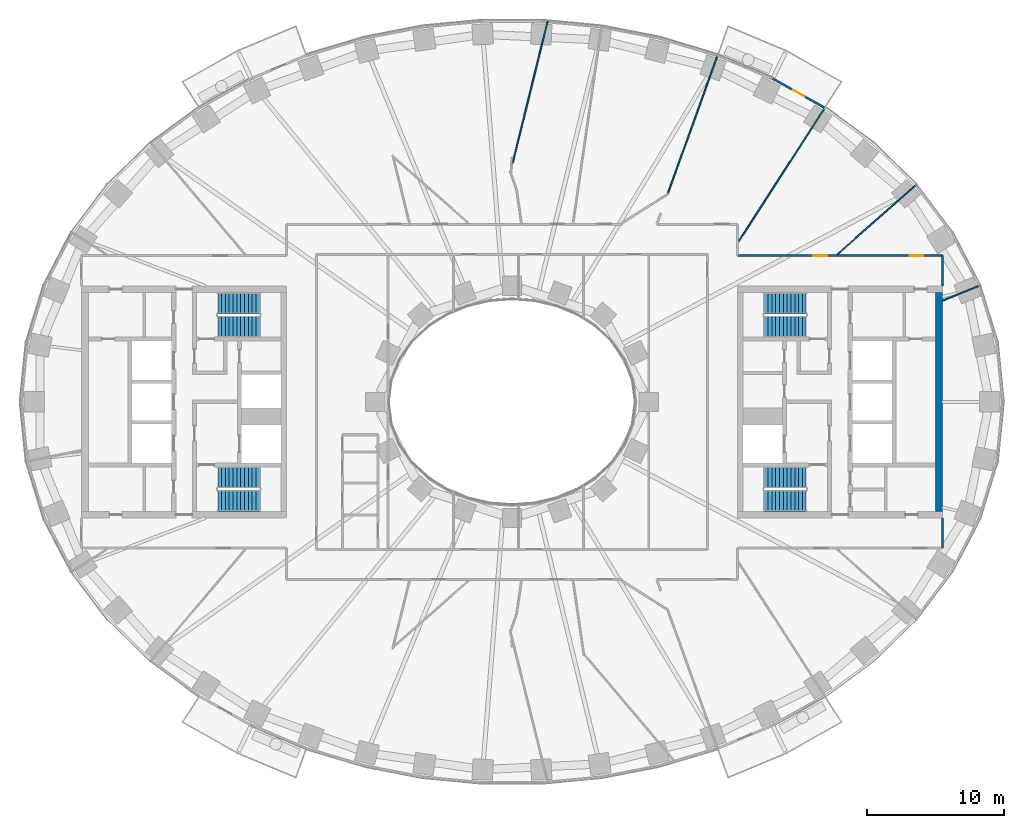
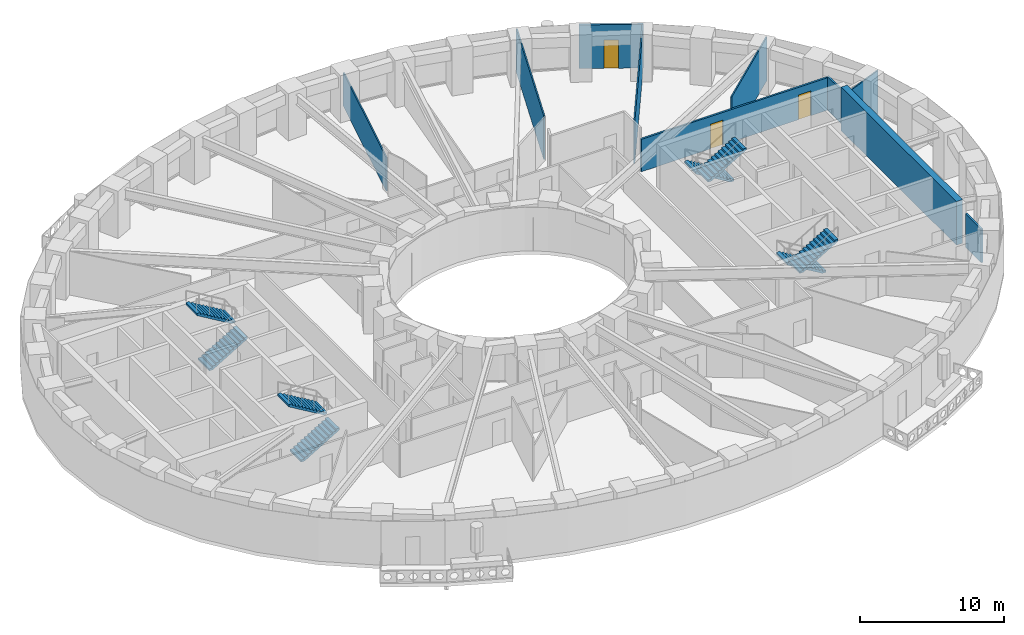
# One storey, part 7 of 15: 10 walls, 8 stair flights, 3 doors, 3 openings, 4 elements without a shape of their own.
"""IFC4 building model written with IfcOpenShell, lengths in metres."""

from ifc_helpers import new_model, si_unit, direction, frame, frame_2d, origin, place, context, subcontext, project, spatial, polyline, rectangle, outline, extrude, material, layer, layer_set, type_object, element, fill, aggregate, save


model = new_model("IFC4")

# Units and contexts
model_context = context("Model", 3, precision=1e-05, world=origin(), true_north=direction((0.0, 1.0)))
body_context = subcontext(model_context, "Body", "Model", "MODEL_VIEW")
ifc_project = project(units=[si_unit("LENGTHUNIT", "METRE"), si_unit("AREAUNIT", "SQUARE_METRE"), si_unit("VOLUMEUNIT", "CUBIC_METRE"), si_unit("PLANEANGLEUNIT", "RADIAN"), si_unit("MASSUNIT", "GRAM", prefix="KILO")], contexts=[model_context])

# Site, building, storey
site_placement = place(None, origin())
site = spatial("IfcSite", under=ifc_project, at=site_placement, CompositionType="ELEMENT")
building_placement = place(site_placement, origin())
building = spatial("IfcBuilding", under=site, at=building_placement, Name="Noorbagh Ring Tower", CompositionType="ELEMENT")
storey_placement = place(building_placement, frame((0.0, 0.0, 38.5)))
storey = spatial("IfcBuildingStorey", under=building, at=storey_placement, Name="L07", CompositionType="ELEMENT", Elevation=38.5)

# Wall
ifc_material_1 = material(Name="Concrete C70/85", Category="concrete")
ifc_layer_1 = layer(ifc_material_1, 0.5)
ifc_layer_set_1 = layer_set([ifc_layer_1], Name="Concrete C70/85")
wall_type_1 = type_object("IfcWallType", Name="CORE-WALL-500-C70-85-EI240", PredefinedType="SHEAR", material=ifc_layer_set_1)
wall_1_placement = place(storey_placement, frame((31.25, -8.0, 0.0), z_axis=(0.0, 0.0, 1.0), x_axis=(0.0, 1.0, 0.0)))
element("IfcWall", 1, at=wall_1_placement, inside=storey, type_object=wall_type_1, Name="Core wall E", PredefinedType="SHEAR", context=body_context, shape_type="SweptSolid", body=[
    extrude(rectangle(XDim=16.0, YDim=0.5, at=frame_2d((8.0, 0.0))), origin(), (0.0, 0.0, 1.0), 3.699951171875),
])

# Wall, openings, doors
ifc_material_2 = material(Name="Gypsum board on steel studs", Category="steel")
ifc_layer_2 = layer(ifc_material_2, 0.14990234375)
ifc_layer_set_2 = layer_set([ifc_layer_2], Name="Gypsum board on steel studs")
wall_type_2 = type_object("IfcWallType", Name="CORRIDOR PARTITION 150 EI 30", PredefinedType="PARTITIONING", material=ifc_layer_set_2)
wall_2_placement = place(storey_placement, frame((16.5, 10.699951171875, 0.0), z_axis=(0.0, 0.0, 1.0), x_axis=(1.0, 0.0, 0.0)))
wall_2 = element("IfcWall", 2, at=wall_2_placement, inside=storey, type_object=wall_type_2, Name="L07/wall/P70", PredefinedType="PARTITIONING", context=body_context, shape_type="SweptSolid", body=[
    extrude(rectangle(XDim=15.0, YDim=0.14990234375, at=frame_2d((7.5, 0.0))), origin(), (0.0, 0.0, 1.0), 2.75),
])
opening_1_placement = place(wall_2_placement, frame((5.552001953125, 0.0, 0.0)))
opening_1 = element("IfcOpeningElement", 3, at=opening_1_placement, cuts=wall_2, Name="Opening D1", PredefinedType="OPENING", context=body_context, shape_type="SweptSolid", body=[
    extrude(rectangle(XDim=1.0, YDim=2.10009765625, at=frame_2d((0.5, 1.050048828125))), frame((0.0, 0.0849609375, 0.0), z_axis=(0.0, -1.0, 0.0), x_axis=(1.0, 0.0, 0.0)), (0.0, 0.0, 1.0), 0.169921875),
])
opening_2_placement = place(wall_2_placement, frame((12.60009765625, 0.0, 0.0)))
opening_2 = element("IfcOpeningElement", 4, at=opening_2_placement, cuts=wall_2, Name="Opening D1", PredefinedType="OPENING", context=body_context, shape_type="SweptSolid", body=[
    extrude(rectangle(XDim=1.0, YDim=2.10009765625, at=frame_2d((0.5, 1.050048828125))), frame((0.0, 0.0849609375, 0.0), z_axis=(0.0, -1.0, 0.0), x_axis=(1.0, 0.0, 0.0)), (0.0, 0.0, 1.0), 0.169921875),
])
ifc_material_3 = material(Name="Timber, painted", Category="wood")
door_type_1 = type_object("IfcDoorType", Name="DOOR 1000 X 2100 FD30", OperationType="SINGLE_SWING_LEFT", PredefinedType="DOOR", material=ifc_material_3)
door_1_placement = place(opening_1_placement, origin())
door_1 = element("IfcDoor", 5, at=door_1_placement, inside=storey, type_object=door_type_1, Name="L07-D21", OperationType="SINGLE_SWING_LEFT", OverallHeight=2.10009765625, OverallWidth=1.0, PredefinedType="DOOR", context=body_context, shape_type="SweptSolid", body=[
    extrude(rectangle(XDim=1.0, YDim=2.10009765625, at=frame_2d((0.5, 1.050048828125))), frame((0.0, 0.02490234375, 0.0), z_axis=(0.0, -1.0, 0.0), x_axis=(1.0, 0.0, 0.0)), (0.0, 0.0, 1.0), 0.050048828125),
])
fill(opening_1, door_1)
door_2_placement = place(opening_2_placement, origin())
door_2 = element("IfcDoor", 6, at=door_2_placement, inside=storey, type_object=door_type_1, Name="L07-D23", OperationType="SINGLE_SWING_LEFT", OverallHeight=2.10009765625, OverallWidth=1.0, PredefinedType="DOOR", context=body_context, shape_type="SweptSolid", body=[
    extrude(rectangle(XDim=1.0, YDim=2.10009765625, at=frame_2d((0.5, 1.050048828125))), frame((0.0, 0.02490234375, 0.0), z_axis=(0.0, -1.0, 0.0), x_axis=(1.0, 0.0, 0.0)), (0.0, 0.0, 1.0), 0.050048828125),
])
fill(opening_2, door_2)

# Walls
for number, where, z_axis, x_axis, name in (
    (7, (31.5, -10.699951171875, 0.0), (0.0, 0.0, 1.0), (0.0, 1.0, 0.0), "L07/wall/P74"),
    (8, (31.5, 8.5, 0.0), (0.0, 0.0, 1.0), (0.0, 1.0, 0.0), "L07/wall/P76"),
):
    element("IfcWall", number, at=place(storey_placement, frame(where, z_axis=z_axis, x_axis=x_axis)), inside=storey, type_object=wall_type_2, Name=name, PredefinedType="PARTITIONING", context=body_context, shape_type="SweptSolid", body=[
        extrude(rectangle(XDim=2.199951171875, YDim=0.14990234375, at=frame_2d((1.10009765625, 0.0))), origin(), (0.0, 0.0, 1.0), 2.85009765625),
    ])

# Wall, opening, door
ifc_material_4 = material(Name="Insulated aluminium clad panel", Category="aluminium")
ifc_layer_3 = layer(ifc_material_4, 0.14990234375)
ifc_layer_set_3 = layer_set([ifc_layer_3], Name="Insulated aluminium clad panel")
wall_type_3 = type_object("IfcWallType", Name="ENV-WALL-DOOR", PredefinedType="STANDARD", material=ifc_layer_set_3)
wall_3_placement = place(storey_placement, frame((22.913330078125, 21.508544921875, 0.0), z_axis=(0.0, 0.0, 1.0), x_axis=(-0.872046572975, 0.489422899509, 0.0)))
wall_3 = element("IfcWall", 9, at=wall_3_placement, inside=storey, type_object=wall_type_3, Name="Balcony door wall chord 07", PredefinedType="STANDARD", context=body_context, shape_type="SweptSolid", body=[
    extrude(rectangle(XDim=4.425537109375, YDim=0.14990234375, at=frame_2d((2.212890625, 0.0))), origin(), (0.0, 0.0, 1.0), 3.699951171875),
])
opening_3_placement = place(wall_3_placement, frame((1.712646484375, 0.0, 0.0)))
opening_3 = element("IfcOpeningElement", 10, at=opening_3_placement, cuts=wall_3, Name="Opening D-BL", PredefinedType="OPENING", context=body_context, shape_type="SweptSolid", body=[
    extrude(rectangle(XDim=1.0, YDim=2.39990234375, at=frame_2d((0.5, 1.199951171875))), frame((0.0, 0.0849609375, 0.0), z_axis=(0.0, -1.0, 0.0), x_axis=(1.0, 0.0, 0.0)), (0.0, 0.0, 1.0), 0.169921875),
])
ifc_material_5 = material(Name="Aluminium and glass", Category="aluminium")
door_type_2 = type_object("IfcDoorType", Name="ENV-DOOR-BALCONY", OperationType="SINGLE_SWING_LEFT", PredefinedType="DOOR", material=ifc_material_5)
door_3_placement = place(opening_3_placement, origin())
door_3 = element("IfcDoor", 11, at=door_3_placement, inside=storey, type_object=door_type_2, Name="Balcony door chord 07", OperationType="SINGLE_SWING_RIGHT", OverallHeight=2.39990234375, OverallWidth=1.0, PredefinedType="DOOR", context=body_context, shape_type="SweptSolid", body=[
    extrude(rectangle(XDim=1.0, YDim=2.39990234375, at=frame_2d((0.5, 1.199951171875))), frame((0.0, 0.02490234375, 0.0), z_axis=(0.0, -1.0, 0.0), x_axis=(1.0, 0.0, 0.0)), (0.0, 0.0, 1.0), 0.050048828125),
])
fill(opening_3, door_3)

# Walls
ifc_material_6 = material(Name="Gypsum board on steel studs", Category="steel")
ifc_layer_4 = layer(ifc_material_6, 0.10009765625)
ifc_layer_set_4 = layer_set([ifc_layer_4], Name="Gypsum board on steel studs")
wall_type_4 = type_object("IfcWallType", Name="PARTITION 100 GYPSUM", PredefinedType="PARTITIONING", material=ifc_layer_set_4)
wall_4_placement = place(storey_placement, frame((0.044921875, 17.472900390625, 0.0), z_axis=(0.0, 0.0, 1.0), x_axis=(0.239693715076, 0.970848558197, 0.0)))
element("IfcWall", 12, at=wall_4_placement, inside=storey, type_object=wall_type_4, Name="L07/wall/P38", PredefinedType="PARTITIONING", context=body_context, shape_type="SweptSolid", body=[
    extrude(rectangle(XDim=10.69677734375, YDim=0.10009765625, at=frame_2d((5.348388671875, 0.0))), origin(), (0.0, 0.0, 1.0), 2.85009765625),
])
wall_5_placement = place(storey_placement, frame((11.416015625, 15.281982421875, 0.0), z_axis=(0.0, 0.0, 1.0), x_axis=(0.338364268616, 0.94101520802, 0.0)))
element("IfcWall", 13, at=wall_5_placement, inside=storey, type_object=wall_type_4, Name="L07/wall/P64", PredefinedType="PARTITIONING", context=body_context, shape_type="SweptSolid", body=[
    extrude(rectangle(XDim=10.734130859375, YDim=0.10009765625, at=frame_2d((5.3671875, 0.0))), origin(), (0.0, 0.0, 1.0), 3.699951171875),
])
wall_6_placement = place(storey_placement, frame((16.574951171875, 11.73291015625, 0.0), z_axis=(0.0, 0.0, 1.0), x_axis=(0.54222594427, 0.840232720953, 0.0)))
element("IfcWall", 14, at=wall_6_placement, inside=storey, type_object=wall_type_4, Name="L07/wall/P71", PredefinedType="PARTITIONING", context=body_context, shape_type="SweptSolid", body=[
    extrude(rectangle(XDim=11.67431640625, YDim=0.10009765625, at=frame_2d((5.837158203125, 0.0))), origin(), (0.0, 0.0, 1.0), 3.699951171875),
])
wall_7_placement = place(storey_placement, frame((23.784912109375, 10.778076171875, 0.0), z_axis=(0.0, 0.0, 1.0), x_axis=(0.748985701008, 0.662586160198, 0.0)))
element("IfcWall", 15, at=wall_7_placement, inside=storey, type_object=wall_type_4, Name="L07/wall/P73", PredefinedType="PARTITIONING", context=body_context, shape_type="SweptSolid", body=[
    extrude(rectangle(XDim=7.72265625, YDim=0.10009765625, at=frame_2d((3.861328125, 0.0))), origin(), (0.0, 0.0, 1.0), 3.699951171875),
])
wall_8_placement = place(storey_placement, frame((31.5, 7.409912109375, 0.0), z_axis=(0.0, 0.0, 1.0), x_axis=(0.925344112436, 0.379128307542, 0.0)))
element("IfcWall", 16, at=wall_8_placement, inside=storey, type_object=wall_type_4, Name="L07/wall/P75", PredefinedType="PARTITIONING", context=body_context, shape_type="SweptSolid", body=[
    extrude(rectangle(XDim=2.954345703125, YDim=0.10009765625, at=frame_2d((1.47705078125, 0.0))), origin(), (0.0, 0.0, 1.0), 3.699951171875),
])

# Stair, stair flights
ifc_material_7 = material(Name="Concrete C40/50", Category="concrete")
stair_type = type_object("IfcStairType", Name="CORE-STAIR", PredefinedType="HALF_TURN_STAIR", material=ifc_material_7)
stair_1_placement = place(storey_placement, origin())
stair_1 = element("IfcStair", 17, at=stair_1_placement, inside=storey, type_object=stair_type, Name="L07 Exit stair ST1", PredefinedType="HALF_TURN_STAIR")
ifc_material_8 = material(Name="Concrete C40/50", Category="concrete")
stair_flight_type = type_object("IfcStairFlightType", Name="CORE-STAIR-FLIGHT", PredefinedType="STRAIGHT", material=ifc_material_8)
stair_flight_1_placement = place(storey_placement, frame((-21.530029296875, 5.52490234375, 0.0), z_axis=(0.0, 0.0, 1.0), x_axis=(1.0, 0.0, 0.0)))
stair_flight_1 = element("IfcStairFlight", 18, at=stair_flight_1_placement, type_object=stair_flight_type, Name="ST1 flight 1", NumberOfRisers=12, NumberOfTreads=11, PredefinedType="STRAIGHT", RiserHeight=0.166666667, TreadLength=0.28, context=body_context, shape_type="SweptSolid", body=[
    extrude(outline(polyline([(0.0, 0.0), (0.0, 0.166748046875), (0.280029296875, 0.166748046875), (0.280029296875, 0.333251953125), (0.56005859375, 0.333251953125), (0.56005859375, 0.5), (0.840087890625, 0.5), (0.840087890625, 0.666748046875), (1.1201171875, 0.666748046875), (1.1201171875, 0.833251953125), (1.39990234375, 0.833251953125), (1.39990234375, 1.0), (1.679931640625, 1.0), (1.679931640625, 1.166748046875), (1.9599609375, 1.166748046875), (1.9599609375, 1.333251953125), (2.239990234375, 1.333251953125), (2.239990234375, 1.5), (2.52001953125, 1.5), (2.52001953125, 1.666748046875), (2.800048828125, 1.666748046875), (2.800048828125, 1.833251953125), (3.080078125, 1.833251953125), (3.080078125, 2.0), (3.080078125, 1.658935546875), (0.29296875, 0.0), (0.0, 0.0)])), frame((0.0, 0.77490234375, 0.0), z_axis=(0.0, -1.0, 0.0), x_axis=(1.0, 0.0, 0.0)), (0.0, 0.0, 1.0), 1.550048828125),
])
stair_flight_2_placement = place(storey_placement, frame((-18.449951171875, 7.22509765625, 2.0), z_axis=(0.0, 0.0, 1.0), x_axis=(-1.0, 0.0, 0.0)))
stair_flight_2 = element("IfcStairFlight", 19, at=stair_flight_2_placement, type_object=stair_flight_type, Name="ST1 flight 2", NumberOfRisers=12, NumberOfTreads=11, PredefinedType="STRAIGHT", RiserHeight=0.166666667, TreadLength=0.28, context=body_context, shape_type="SweptSolid", body=[
    extrude(outline(polyline([(0.0, 0.0), (0.0, 0.166748046875), (0.280029296875, 0.166748046875), (0.280029296875, 0.333251953125), (0.56005859375, 0.333251953125), (0.56005859375, 0.5), (0.840087890625, 0.5), (0.840087890625, 0.666748046875), (1.1201171875, 0.666748046875), (1.1201171875, 0.833251953125), (1.39990234375, 0.833251953125), (1.39990234375, 1.0), (1.679931640625, 1.0), (1.679931640625, 1.166748046875), (1.9599609375, 1.166748046875), (1.9599609375, 1.333251953125), (2.239990234375, 1.333251953125), (2.239990234375, 1.5), (2.52001953125, 1.5), (2.52001953125, 1.666748046875), (2.800048828125, 1.666748046875), (2.800048828125, 1.833251953125), (3.080078125, 1.833251953125), (3.080078125, 2.0), (3.080078125, 1.658935546875), (0.29296875, 0.0), (0.0, 0.0)])), frame((0.0, 0.77490234375, 0.0), z_axis=(0.0, -1.0, 0.0), x_axis=(1.0, 0.0, 0.0)), (0.0, 0.0, 1.0), 1.550048828125),
])
aggregate(stair_1, [stair_flight_1, stair_flight_2])

stair_2_placement = place(storey_placement, origin())
stair_2 = element("IfcStair", 20, at=stair_2_placement, inside=storey, type_object=stair_type, Name="L07 Exit stair ST2", PredefinedType="HALF_TURN_STAIR")
stair_flight_3_placement = place(storey_placement, frame((-21.530029296875, -7.22509765625, 0.0), z_axis=(0.0, 0.0, 1.0), x_axis=(1.0, 0.0, 0.0)))
stair_flight_3 = element("IfcStairFlight", 21, at=stair_flight_3_placement, type_object=stair_flight_type, Name="ST2 flight 1", NumberOfRisers=12, NumberOfTreads=11, PredefinedType="STRAIGHT", RiserHeight=0.166666667, TreadLength=0.28, context=body_context, shape_type="SweptSolid", body=[
    extrude(outline(polyline([(0.0, 0.0), (0.0, 0.166748046875), (0.280029296875, 0.166748046875), (0.280029296875, 0.333251953125), (0.56005859375, 0.333251953125), (0.56005859375, 0.5), (0.840087890625, 0.5), (0.840087890625, 0.666748046875), (1.1201171875, 0.666748046875), (1.1201171875, 0.833251953125), (1.39990234375, 0.833251953125), (1.39990234375, 1.0), (1.679931640625, 1.0), (1.679931640625, 1.166748046875), (1.9599609375, 1.166748046875), (1.9599609375, 1.333251953125), (2.239990234375, 1.333251953125), (2.239990234375, 1.5), (2.52001953125, 1.5), (2.52001953125, 1.666748046875), (2.800048828125, 1.666748046875), (2.800048828125, 1.833251953125), (3.080078125, 1.833251953125), (3.080078125, 2.0), (3.080078125, 1.658935546875), (0.29296875, 0.0), (0.0, 0.0)])), frame((0.0, 0.77490234375, 0.0), z_axis=(0.0, -1.0, 0.0), x_axis=(1.0, 0.0, 0.0)), (0.0, 0.0, 1.0), 1.550048828125),
])
stair_flight_4_placement = place(storey_placement, frame((-18.449951171875, -5.52490234375, 2.0), z_axis=(0.0, 0.0, 1.0), x_axis=(-1.0, 0.0, 0.0)))
stair_flight_4 = element("IfcStairFlight", 22, at=stair_flight_4_placement, type_object=stair_flight_type, Name="ST2 flight 2", NumberOfRisers=12, NumberOfTreads=11, PredefinedType="STRAIGHT", RiserHeight=0.166666667, TreadLength=0.28, context=body_context, shape_type="SweptSolid", body=[
    extrude(outline(polyline([(0.0, 0.0), (0.0, 0.166748046875), (0.280029296875, 0.166748046875), (0.280029296875, 0.333251953125), (0.56005859375, 0.333251953125), (0.56005859375, 0.5), (0.840087890625, 0.5), (0.840087890625, 0.666748046875), (1.1201171875, 0.666748046875), (1.1201171875, 0.833251953125), (1.39990234375, 0.833251953125), (1.39990234375, 1.0), (1.679931640625, 1.0), (1.679931640625, 1.166748046875), (1.9599609375, 1.166748046875), (1.9599609375, 1.333251953125), (2.239990234375, 1.333251953125), (2.239990234375, 1.5), (2.52001953125, 1.5), (2.52001953125, 1.666748046875), (2.800048828125, 1.666748046875), (2.800048828125, 1.833251953125), (3.080078125, 1.833251953125), (3.080078125, 2.0), (3.080078125, 1.658935546875), (0.29296875, 0.0), (0.0, 0.0)])), frame((0.0, 0.77490234375, 0.0), z_axis=(0.0, -1.0, 0.0), x_axis=(1.0, 0.0, 0.0)), (0.0, 0.0, 1.0), 1.550048828125),
])
aggregate(stair_2, [stair_flight_3, stair_flight_4])

stair_3_placement = place(storey_placement, origin())
stair_3 = element("IfcStair", 23, at=stair_3_placement, inside=storey, type_object=stair_type, Name="L07 Exit stair ST3", PredefinedType="HALF_TURN_STAIR")
stair_flight_5_placement = place(storey_placement, frame((21.530029296875, 7.22509765625, 0.0), z_axis=(0.0, 0.0, 1.0), x_axis=(-1.0, 0.0, 0.0)))
stair_flight_5 = element("IfcStairFlight", 24, at=stair_flight_5_placement, type_object=stair_flight_type, Name="ST3 flight 1", NumberOfRisers=12, NumberOfTreads=11, PredefinedType="STRAIGHT", RiserHeight=0.166666667, TreadLength=0.28, context=body_context, shape_type="SweptSolid", body=[
    extrude(outline(polyline([(0.0, 0.0), (0.0, 0.166748046875), (0.280029296875, 0.166748046875), (0.280029296875, 0.333251953125), (0.56005859375, 0.333251953125), (0.56005859375, 0.5), (0.840087890625, 0.5), (0.840087890625, 0.666748046875), (1.1201171875, 0.666748046875), (1.1201171875, 0.833251953125), (1.39990234375, 0.833251953125), (1.39990234375, 1.0), (1.679931640625, 1.0), (1.679931640625, 1.166748046875), (1.9599609375, 1.166748046875), (1.9599609375, 1.333251953125), (2.239990234375, 1.333251953125), (2.239990234375, 1.5), (2.52001953125, 1.5), (2.52001953125, 1.666748046875), (2.800048828125, 1.666748046875), (2.800048828125, 1.833251953125), (3.080078125, 1.833251953125), (3.080078125, 2.0), (3.080078125, 1.658935546875), (0.29296875, 0.0), (0.0, 0.0)])), frame((0.0, 0.77490234375, 0.0), z_axis=(0.0, -1.0, 0.0), x_axis=(1.0, 0.0, 0.0)), (0.0, 0.0, 1.0), 1.550048828125),
])
stair_flight_6_placement = place(storey_placement, frame((18.449951171875, 5.52490234375, 2.0), z_axis=(0.0, 0.0, 1.0), x_axis=(1.0, 0.0, 0.0)))
stair_flight_6 = element("IfcStairFlight", 25, at=stair_flight_6_placement, type_object=stair_flight_type, Name="ST3 flight 2", NumberOfRisers=12, NumberOfTreads=11, PredefinedType="STRAIGHT", RiserHeight=0.166666667, TreadLength=0.28, context=body_context, shape_type="SweptSolid", body=[
    extrude(outline(polyline([(0.0, 0.0), (0.0, 0.166748046875), (0.280029296875, 0.166748046875), (0.280029296875, 0.333251953125), (0.56005859375, 0.333251953125), (0.56005859375, 0.5), (0.840087890625, 0.5), (0.840087890625, 0.666748046875), (1.1201171875, 0.666748046875), (1.1201171875, 0.833251953125), (1.39990234375, 0.833251953125), (1.39990234375, 1.0), (1.679931640625, 1.0), (1.679931640625, 1.166748046875), (1.9599609375, 1.166748046875), (1.9599609375, 1.333251953125), (2.239990234375, 1.333251953125), (2.239990234375, 1.5), (2.52001953125, 1.5), (2.52001953125, 1.666748046875), (2.800048828125, 1.666748046875), (2.800048828125, 1.833251953125), (3.080078125, 1.833251953125), (3.080078125, 2.0), (3.080078125, 1.658935546875), (0.29296875, 0.0), (0.0, 0.0)])), frame((0.0, 0.77490234375, 0.0), z_axis=(0.0, -1.0, 0.0), x_axis=(1.0, 0.0, 0.0)), (0.0, 0.0, 1.0), 1.550048828125),
])
aggregate(stair_3, [stair_flight_5, stair_flight_6])

stair_4_placement = place(storey_placement, origin())
stair_4 = element("IfcStair", 26, at=stair_4_placement, inside=storey, type_object=stair_type, Name="L07 Exit stair ST4", PredefinedType="HALF_TURN_STAIR")
stair_flight_7_placement = place(storey_placement, frame((21.530029296875, -5.52490234375, 0.0), z_axis=(0.0, 0.0, 1.0), x_axis=(-1.0, 0.0, 0.0)))
stair_flight_7 = element("IfcStairFlight", 27, at=stair_flight_7_placement, type_object=stair_flight_type, Name="ST4 flight 1", NumberOfRisers=12, NumberOfTreads=11, PredefinedType="STRAIGHT", RiserHeight=0.166666667, TreadLength=0.28, context=body_context, shape_type="SweptSolid", body=[
    extrude(outline(polyline([(0.0, 0.0), (0.0, 0.166748046875), (0.280029296875, 0.166748046875), (0.280029296875, 0.333251953125), (0.56005859375, 0.333251953125), (0.56005859375, 0.5), (0.840087890625, 0.5), (0.840087890625, 0.666748046875), (1.1201171875, 0.666748046875), (1.1201171875, 0.833251953125), (1.39990234375, 0.833251953125), (1.39990234375, 1.0), (1.679931640625, 1.0), (1.679931640625, 1.166748046875), (1.9599609375, 1.166748046875), (1.9599609375, 1.333251953125), (2.239990234375, 1.333251953125), (2.239990234375, 1.5), (2.52001953125, 1.5), (2.52001953125, 1.666748046875), (2.800048828125, 1.666748046875), (2.800048828125, 1.833251953125), (3.080078125, 1.833251953125), (3.080078125, 2.0), (3.080078125, 1.658935546875), (0.29296875, 0.0), (0.0, 0.0)])), frame((0.0, 0.77490234375, 0.0), z_axis=(0.0, -1.0, 0.0), x_axis=(1.0, 0.0, 0.0)), (0.0, 0.0, 1.0), 1.550048828125),
])
stair_flight_8_placement = place(storey_placement, frame((18.449951171875, -7.22509765625, 2.0), z_axis=(0.0, 0.0, 1.0), x_axis=(1.0, 0.0, 0.0)))
stair_flight_8 = element("IfcStairFlight", 28, at=stair_flight_8_placement, type_object=stair_flight_type, Name="ST4 flight 2", NumberOfRisers=12, NumberOfTreads=11, PredefinedType="STRAIGHT", RiserHeight=0.166666667, TreadLength=0.28, context=body_context, shape_type="SweptSolid", body=[
    extrude(outline(polyline([(0.0, 0.0), (0.0, 0.166748046875), (0.280029296875, 0.166748046875), (0.280029296875, 0.333251953125), (0.56005859375, 0.333251953125), (0.56005859375, 0.5), (0.840087890625, 0.5), (0.840087890625, 0.666748046875), (1.1201171875, 0.666748046875), (1.1201171875, 0.833251953125), (1.39990234375, 0.833251953125), (1.39990234375, 1.0), (1.679931640625, 1.0), (1.679931640625, 1.166748046875), (1.9599609375, 1.166748046875), (1.9599609375, 1.333251953125), (2.239990234375, 1.333251953125), (2.239990234375, 1.5), (2.52001953125, 1.5), (2.52001953125, 1.666748046875), (2.800048828125, 1.666748046875), (2.800048828125, 1.833251953125), (3.080078125, 1.833251953125), (3.080078125, 2.0), (3.080078125, 1.658935546875), (0.29296875, 0.0), (0.0, 0.0)])), frame((0.0, 0.77490234375, 0.0), z_axis=(0.0, -1.0, 0.0), x_axis=(1.0, 0.0, 0.0)), (0.0, 0.0, 1.0), 1.550048828125),
])
aggregate(stair_4, [stair_flight_7, stair_flight_8])

save(model, "model.ifc")
